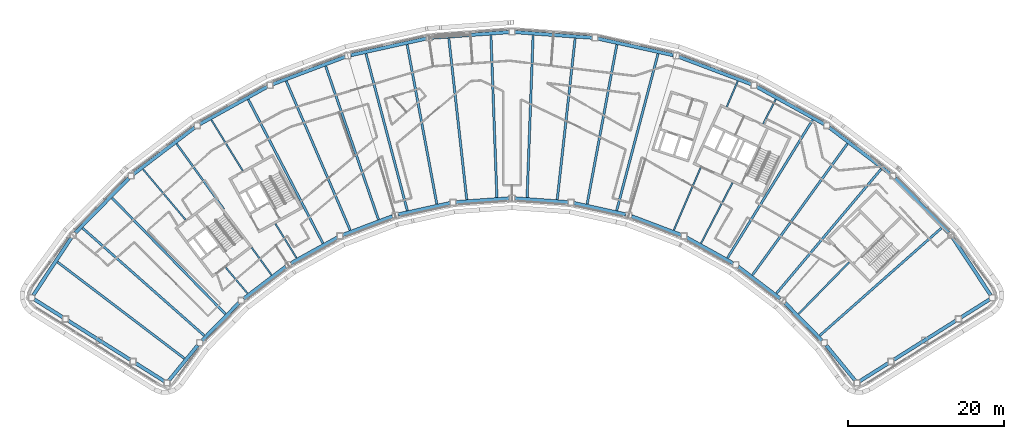
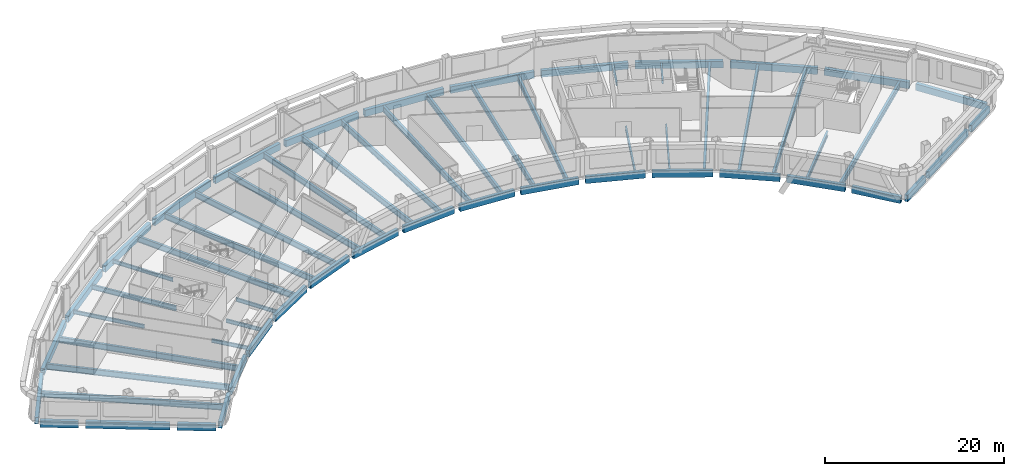
# One storey, part 3 of 13: 63 beams.
"""IFC4 building model written with IfcOpenShell, lengths in metres."""

from ifc_helpers import new_model, si_unit, direction, frame, origin, origin_2d, place, context, subcontext, project, spatial, hollow_rectangle, i_section, extrude, material, material_profile, profile_set, type_object, element, save


model = new_model("IFC4")

# Units and contexts
model_context = context("Model", 3, precision=1e-05, world=origin(), true_north=direction((0.0, 1.0)))
body_context = subcontext(model_context, "Body", "Model", "MODEL_VIEW")
ifc_project = project(units=[si_unit("LENGTHUNIT", "METRE"), si_unit("AREAUNIT", "SQUARE_METRE"), si_unit("VOLUMEUNIT", "CUBIC_METRE"), si_unit("PLANEANGLEUNIT", "RADIAN"), si_unit("MASSUNIT", "GRAM", prefix="KILO")], contexts=[model_context])

# Site, building, storey
site_placement = place(None, origin())
site = spatial("IfcSite", under=ifc_project, at=site_placement, CompositionType="ELEMENT")
building_placement = place(site_placement, origin())
building = spatial("IfcBuilding", under=site, at=building_placement, Name="Tuul Gate Civic Tower", CompositionType="ELEMENT")
storey_placement = place(building_placement, frame((0.0, 0.0, 340.699951171875)))
storey = spatial("IfcBuildingStorey", under=building, at=storey_placement, Name="Level 77", CompositionType="ELEMENT", Elevation=340.699951171875)

# Beams
ifc_material_1 = material(Name="Steel S355", Category="steel")
ifc_material_profile_1 = material_profile(ifc_material_1, i_section(OverallWidth=0.199951171875, OverallDepth=0.5, WebThickness=0.010009765625, FlangeThickness=0.01611328125, at=origin_2d()), Name="PG500x200x10x16")
ifc_profile_set_1 = profile_set([ifc_material_profile_1], Name="Steel S355")
beam_type_1 = type_object("IfcBeamType", Name="STR-FLOOR BEAM-PG500x200x10x16", PredefinedType="BEAM", material=ifc_profile_set_1)
beam_1_placement = place(storey_placement, frame((26.463134765625, -13.32080078125, -0.550048828125), z_axis=(0.460782795667, 0.887512938056, 0.0), x_axis=(-0.887512938056, 0.460782795667, 0.0)))
element("IfcBeam", 1, at=beam_1_placement, inside=storey, type_object=beam_type_1, Name="Floor beam", PredefinedType="BEAM", context=body_context, shape_type="SweptSolid", body=[
    extrude(i_section(OverallWidth=0.199951171875, OverallDepth=0.5, WebThickness=0.010009765625, FlangeThickness=0.01611328125, at=origin_2d()), origin(), (0.0, 0.0, 1.0), 8.768310546875),
])
beam_2_placement = place(storey_placement, frame((34.423583984375, 2.01220703125, -0.550048828125), z_axis=(0.460793282306, 0.887507493479, 0.0), x_axis=(-0.887507493479, 0.460793282306, 0.0)))
element("IfcBeam", 2, at=beam_2_placement, inside=storey, type_object=beam_type_1, Name="Floor beam", PredefinedType="BEAM", context=body_context, shape_type="SweptSolid", body=[
    extrude(i_section(OverallWidth=0.199951171875, OverallDepth=0.5, WebThickness=0.010009765625, FlangeThickness=0.01611328125, at=origin_2d()), origin(), (0.0, 0.0, 1.0), 3.53173828125),
])
beam_3_placement = place(storey_placement, frame((22.968505859375, -11.633056640625, -0.550048828125), z_axis=(0.394179708817, 0.91903338196, 0.0), x_axis=(-0.91903338196, 0.394179708817, 0.0)))
element("IfcBeam", 3, at=beam_3_placement, inside=storey, type_object=beam_type_1, Name="Floor beam", PredefinedType="BEAM", context=body_context, shape_type="SweptSolid", body=[
    extrude(i_section(OverallWidth=0.199951171875, OverallDepth=0.5, WebThickness=0.010009765625, FlangeThickness=0.01611328125, at=origin_2d()), origin(), (0.0, 0.0, 1.0), 8.7119140625),
])
beam_4_placement = place(storey_placement, frame((29.7548828125, 4.189208984375, -0.550048828125), z_axis=(0.394262656624, 0.918997800646, 0.0), x_axis=(-0.918997800646, 0.394262656624, 0.0)))
element("IfcBeam", 4, at=beam_4_placement, inside=storey, type_object=beam_type_1, Name="Floor beam", PredefinedType="BEAM", context=body_context, shape_type="SweptSolid", body=[
    extrude(i_section(OverallWidth=0.199951171875, OverallDepth=0.5, WebThickness=0.010009765625, FlangeThickness=0.01611328125, at=origin_2d()), origin(), (0.0, 0.0, 1.0), 3.60400390625),
])
beam_5_placement = place(storey_placement, frame((-25.47412109375, -15.2021484375, -0.550048828125), z_axis=(-0.524854989159, 0.851191659002, 0.0), x_axis=(-0.851191659002, -0.524854989159, 0.0)))
element("IfcBeam", 5, at=beam_5_placement, inside=storey, type_object=beam_type_1, Name="Floor beam", PredefinedType="BEAM", context=body_context, shape_type="SweptSolid", body=[
    extrude(i_section(OverallWidth=0.199951171875, OverallDepth=0.5, WebThickness=0.010009765625, FlangeThickness=0.01611328125, at=origin_2d()), origin(), (0.0, 0.0, 1.0), 5.1591796875),
])
beam_6_placement = place(storey_placement, frame((-32.385009765625, -3.993896484375, -0.550048828125), z_axis=(-0.524857120658, 0.851190344691, 0.0), x_axis=(-0.851190344691, -0.524857120658, 0.0)))
element("IfcBeam", 6, at=beam_6_placement, inside=storey, type_object=beam_type_1, Name="Floor beam", PredefinedType="BEAM", context=body_context, shape_type="SweptSolid", body=[
    extrude(i_section(OverallWidth=0.199951171875, OverallDepth=0.5, WebThickness=0.010009765625, FlangeThickness=0.01611328125, at=origin_2d()), origin(), (0.0, 0.0, 1.0), 7.654052734375),
])
beam_7_placement = place(storey_placement, frame((-28.677734375, -17.393310546875, -0.550048828125), z_axis=(-0.586074177431, 0.81025740265, 0.0), x_axis=(-0.81025740265, -0.586074177431, 0.0)))
element("IfcBeam", 7, at=beam_7_placement, inside=storey, type_object=beam_type_1, Name="Floor beam", PredefinedType="BEAM", context=body_context, shape_type="SweptSolid", body=[
    extrude(i_section(OverallWidth=0.199951171875, OverallDepth=0.5, WebThickness=0.010009765625, FlangeThickness=0.01611328125, at=origin_2d()), origin(), (0.0, 0.0, 1.0), 4.33642578125),
])
beam_8_placement = place(storey_placement, frame((-31.765869140625, -19.74462890625, -0.550048828125), z_axis=(-0.64417038831, 0.764882024122, 0.0), x_axis=(-0.764882024122, -0.64417038831, 0.0)))
element("IfcBeam", 8, at=beam_8_placement, inside=storey, type_object=beam_type_1, Name="Floor beam", PredefinedType="BEAM", context=body_context, shape_type="SweptSolid", body=[
    extrude(i_section(OverallWidth=0.199951171875, OverallDepth=0.5, WebThickness=0.010009765625, FlangeThickness=0.01611328125, at=origin_2d()), origin(), (0.0, 0.0, 1.0), 4.34033203125),
])
beam_9_placement = place(storey_placement, frame((-39.720703125, -10.298095703125, -0.550048828125), z_axis=(-0.644145503575, 0.764902980923, 0.0), x_axis=(-0.764902980923, -0.644145503575, 0.0)))
element("IfcBeam", 9, at=beam_9_placement, inside=storey, type_object=beam_type_1, Name="Floor beam", PredefinedType="BEAM", context=body_context, shape_type="SweptSolid", body=[
    extrude(i_section(OverallWidth=0.199951171875, OverallDepth=0.5, WebThickness=0.010009765625, FlangeThickness=0.01611328125, at=origin_2d()), origin(), (0.0, 0.0, 1.0), 8.47509765625),
])
ifc_material_2 = material(Name="Steel S355", Category="steel")
ifc_material_profile_2 = material_profile(ifc_material_2, i_section(OverallWidth=0.25, OverallDepth=0.64990234375, WebThickness=0.011962890625, FlangeThickness=0.02001953125, at=origin_2d()), Name="PG650x250x12x20")
ifc_profile_set_2 = profile_set([ifc_material_profile_2], Name="Steel S355")
beam_type_2 = type_object("IfcBeamType", Name="STR-FLOOR BEAM-PG650x250x12x20", PredefinedType="BEAM", material=ifc_profile_set_2)
beam_10_placement = place(storey_placement, frame((38.990234375, -22.390380859375, -0.625), z_axis=(0.698674470128, 0.715439714296, 0.0), x_axis=(-0.715439714296, 0.698674470128, 0.0)))
element("IfcBeam", 10, at=beam_10_placement, inside=storey, type_object=beam_type_2, Name="Floor beam", PredefinedType="BEAM", context=body_context, shape_type="SweptSolid", body=[
    extrude(i_section(OverallWidth=0.25, OverallDepth=0.64990234375, WebThickness=0.011962890625, FlangeThickness=0.02001953125, at=origin_2d()), origin(), (0.0, 0.0, 1.0), 9.290771484375),
])
beam_11_placement = place(storey_placement, frame((-34.799560546875, -8.9296875, -0.625), z_axis=(-0.586091808988, 0.810244649126, 0.0), x_axis=(-0.810244649126, -0.586091808988, 0.0)))
element("IfcBeam", 11, at=beam_11_placement, inside=storey, type_object=beam_type_2, Name="Floor beam", PredefinedType="BEAM", context=body_context, shape_type="SweptSolid", body=[
    extrude(i_section(OverallWidth=0.25, OverallDepth=0.64990234375, WebThickness=0.011962890625, FlangeThickness=0.02001953125, at=origin_2d()), origin(), (0.0, 0.0, 1.0), 10.360107421875),
])
ifc_material_3 = material(Name="Steel S355", Category="steel")
ifc_material_profile_3 = material_profile(ifc_material_3, i_section(OverallWidth=0.300048828125, OverallDepth=0.800048828125, WebThickness=0.013916015625, FlangeThickness=0.02490234375, at=origin_2d()), Name="PG800x300x14x25")
ifc_profile_set_3 = profile_set([ifc_material_profile_3], Name="Steel S355")
beam_type_3 = type_object("IfcBeamType", Name="STR-FLOOR BEAM-PG800x300x14x25", PredefinedType="BEAM", material=ifc_profile_set_3)
beam_12_placement = place(storey_placement, frame((41.707275390625, -25.16259765625, -0.699951171875), z_axis=(0.749453243269, 0.662057275584, 0.0), x_axis=(-0.662057275584, 0.749453243269, 0.0)))
element("IfcBeam", 12, at=beam_12_placement, inside=storey, type_object=beam_type_3, Name="Floor beam", PredefinedType="BEAM", context=body_context, shape_type="SweptSolid", body=[
    extrude(i_section(OverallWidth=0.300048828125, OverallDepth=0.800048828125, WebThickness=0.013916015625, FlangeThickness=0.02490234375, at=origin_2d()), origin(), (0.0, 0.0, 1.0), 20.828369140625),
])
beam_13_placement = place(storey_placement, frame((36.14990234375, -19.74462890625, -0.699951171875), z_axis=(0.644135745783, 0.764911198117, 0.0), x_axis=(-0.764911198117, 0.644135745783, 0.0)))
element("IfcBeam", 13, at=beam_13_placement, inside=storey, type_object=beam_type_3, Name="Floor beam", PredefinedType="BEAM", context=body_context, shape_type="SweptSolid", body=[
    extrude(i_section(OverallWidth=0.300048828125, OverallDepth=0.800048828125, WebThickness=0.013916015625, FlangeThickness=0.02490234375, at=origin_2d()), origin(), (0.0, 0.0, 1.0), 20.824951171875),
])
beam_14_placement = place(storey_placement, frame((33.061767578125, -17.393310546875, -0.699951171875), z_axis=(0.586073074744, 0.810258200242, 0.0), x_axis=(-0.810258200242, 0.586073074744, 0.0)))
element("IfcBeam", 14, at=beam_14_placement, inside=storey, type_object=beam_type_3, Name="Floor beam", PredefinedType="BEAM", context=body_context, shape_type="SweptSolid", body=[
    extrude(i_section(OverallWidth=0.300048828125, OverallDepth=0.800048828125, WebThickness=0.013916015625, FlangeThickness=0.02490234375, at=origin_2d()), origin(), (0.0, 0.0, 1.0), 20.8056640625),
])
beam_15_placement = place(storey_placement, frame((29.858154296875, -15.2021484375, -0.699951171875), z_axis=(0.524846935925, 0.85119662467, 0.0), x_axis=(-0.85119662467, 0.524846935925, 0.0)))
element("IfcBeam", 15, at=beam_15_placement, inside=storey, type_object=beam_type_3, Name="Floor beam", PredefinedType="BEAM", context=body_context, shape_type="SweptSolid", body=[
    extrude(i_section(OverallWidth=0.300048828125, OverallDepth=0.800048828125, WebThickness=0.013916015625, FlangeThickness=0.02490234375, at=origin_2d()), origin(), (0.0, 0.0, 1.0), 20.82177734375),
])
beam_16_placement = place(storey_placement, frame((15.630615234375, -9.11328125, -0.699951171875), z_axis=(0.255002430405, 0.966940412067, 0.0), x_axis=(-0.966940412067, 0.255002430405, 0.0)))
element("IfcBeam", 16, at=beam_16_placement, inside=storey, type_object=beam_type_3, Name="Floor beam", PredefinedType="BEAM", context=body_context, shape_type="SweptSolid", body=[
    extrude(i_section(OverallWidth=0.300048828125, OverallDepth=0.800048828125, WebThickness=0.013916015625, FlangeThickness=0.02490234375, at=origin_2d()), origin(), (0.0, 0.0, 1.0), 20.81689453125),
])
beam_17_placement = place(storey_placement, frame((11.84033203125, -8.2783203125, -0.699951171875), z_axis=(0.183149454547, 0.983085081414, 0.0), x_axis=(-0.983085081414, 0.183149454547, 0.0)))
element("IfcBeam", 17, at=beam_17_placement, inside=storey, type_object=beam_type_3, Name="Floor beam", PredefinedType="BEAM", context=body_context, shape_type="SweptSolid", body=[
    extrude(i_section(OverallWidth=0.300048828125, OverallDepth=0.800048828125, WebThickness=0.013916015625, FlangeThickness=0.02490234375, at=origin_2d()), origin(), (0.0, 0.0, 1.0), 20.81103515625),
])
beam_18_placement = place(storey_placement, frame((8.003173828125, -7.69873046875, -0.699951171875), z_axis=(0.110286058964, 0.993899886909, 0.0), x_axis=(-0.993899886909, 0.110286058964, 0.0)))
element("IfcBeam", 18, at=beam_18_placement, inside=storey, type_object=beam_type_3, Name="Floor beam", PredefinedType="BEAM", context=body_context, shape_type="SweptSolid", body=[
    extrude(i_section(OverallWidth=0.300048828125, OverallDepth=0.800048828125, WebThickness=0.013916015625, FlangeThickness=0.02490234375, at=origin_2d()), origin(), (0.0, 0.0, 1.0), 20.8154296875),
])
for number, where, z_axis, x_axis, name in (
    (19, (4.13232421875, -7.41796875, -0.699951171875), (0.036832478792, 0.999321454041, 0.0), (-0.999321454041, 0.036832478792, 0.0), "Floor beam"),
    (20, (0.251708984375, -7.41796875, -0.699951171875), (-0.036832478792, 0.999321454041, 0.0), (-0.999321454041, -0.036832478792, 0.0), "Floor beam"),
):
    element("IfcBeam", number, at=place(storey_placement, frame(where, z_axis=z_axis, x_axis=x_axis)), inside=storey, type_object=beam_type_3, Name=name, PredefinedType="BEAM", context=body_context, shape_type="SweptSolid", body=[
        extrude(i_section(OverallWidth=0.300048828125, OverallDepth=0.800048828125, WebThickness=0.013916015625, FlangeThickness=0.02490234375, at=origin_2d()), origin(), (0.0, 0.0, 1.0), 20.813232421875),
    ])
beam_19_placement = place(storey_placement, frame((-3.619140625, -7.69873046875, -0.699951171875), z_axis=(-0.110286058964, 0.993899886909, 0.0), x_axis=(-0.993899886909, -0.110286058964, 0.0)))
element("IfcBeam", 21, at=beam_19_placement, inside=storey, type_object=beam_type_3, Name="Floor beam", PredefinedType="BEAM", context=body_context, shape_type="SweptSolid", body=[
    extrude(i_section(OverallWidth=0.300048828125, OverallDepth=0.800048828125, WebThickness=0.013916015625, FlangeThickness=0.02490234375, at=origin_2d()), origin(), (0.0, 0.0, 1.0), 20.8154296875),
])
beam_20_placement = place(storey_placement, frame((-7.45654296875, -8.2783203125, -0.699951171875), z_axis=(-0.183138116697, 0.983087193596, 0.0), x_axis=(-0.983087193596, -0.183138116697, 0.0)))
element("IfcBeam", 22, at=beam_20_placement, inside=storey, type_object=beam_type_3, Name="Floor beam", PredefinedType="BEAM", context=body_context, shape_type="SweptSolid", body=[
    extrude(i_section(OverallWidth=0.300048828125, OverallDepth=0.800048828125, WebThickness=0.013916015625, FlangeThickness=0.02490234375, at=origin_2d()), origin(), (0.0, 0.0, 1.0), 20.81103515625),
])
beam_21_placement = place(storey_placement, frame((-11.24658203125, -9.11328125, -0.699951171875), z_axis=(-0.255002430405, 0.966940412067, 0.0), x_axis=(-0.966940412067, -0.255002430405, 0.0)))
element("IfcBeam", 23, at=beam_21_placement, inside=storey, type_object=beam_type_3, Name="Floor beam", PredefinedType="BEAM", context=body_context, shape_type="SweptSolid", body=[
    extrude(i_section(OverallWidth=0.300048828125, OverallDepth=0.800048828125, WebThickness=0.013916015625, FlangeThickness=0.02490234375, at=origin_2d()), origin(), (0.0, 0.0, 1.0), 20.81689453125),
])
beam_22_placement = place(storey_placement, frame((-14.954345703125, -10.259765625, -0.699951171875), z_axis=(-0.325483706592, 0.945547649113, 0.0), x_axis=(-0.945547649113, -0.325483706592, 0.0)))
element("IfcBeam", 24, at=beam_22_placement, inside=storey, type_object=beam_type_3, Name="Floor beam", PredefinedType="BEAM", context=body_context, shape_type="SweptSolid", body=[
    extrude(i_section(OverallWidth=0.300048828125, OverallDepth=0.800048828125, WebThickness=0.013916015625, FlangeThickness=0.02490234375, at=origin_2d()), origin(), (0.0, 0.0, 1.0), 20.808837890625),
])
beam_23_placement = place(storey_placement, frame((-18.58447265625, -11.633056640625, -0.699951171875), z_axis=(-0.39419807985, 0.919025502281, 0.0), x_axis=(-0.919025502281, -0.39419807985, 0.0)))
element("IfcBeam", 25, at=beam_23_placement, inside=storey, type_object=beam_type_3, Name="Floor beam", PredefinedType="BEAM", context=body_context, shape_type="SweptSolid", body=[
    extrude(i_section(OverallWidth=0.300048828125, OverallDepth=0.800048828125, WebThickness=0.013916015625, FlangeThickness=0.02490234375, at=origin_2d()), origin(), (0.0, 0.0, 1.0), 20.820068359375),
])
beam_24_placement = place(storey_placement, frame((-22.079345703125, -13.32080078125, -0.699951171875), z_axis=(-0.46076746296, 0.887520898389, 0.0), x_axis=(-0.887520898389, -0.46076746296, 0.0)))
element("IfcBeam", 26, at=beam_24_placement, inside=storey, type_object=beam_type_3, Name="Floor beam", PredefinedType="BEAM", context=body_context, shape_type="SweptSolid", body=[
    extrude(i_section(OverallWidth=0.300048828125, OverallDepth=0.800048828125, WebThickness=0.013916015625, FlangeThickness=0.02490234375, at=origin_2d()), origin(), (0.0, 0.0, 1.0), 20.80810546875),
])
beam_25_placement = place(storey_placement, frame((-34.606201171875, -22.390380859375, -0.699951171875), z_axis=(-0.698678629993, 0.715435651888, 0.0), x_axis=(-0.715435651888, -0.698678629993, 0.0)))
element("IfcBeam", 27, at=beam_25_placement, inside=storey, type_object=beam_type_3, Name="Floor beam", PredefinedType="BEAM", context=body_context, shape_type="SweptSolid", body=[
    extrude(i_section(OverallWidth=0.300048828125, OverallDepth=0.800048828125, WebThickness=0.013916015625, FlangeThickness=0.02490234375, at=origin_2d()), origin(), (0.0, 0.0, 1.0), 20.80517578125),
])
beam_26_placement = place(storey_placement, frame((-37.3232421875, -25.16259765625, -0.699951171875), z_axis=(-0.749453243269, 0.662057275584, 0.0), x_axis=(-0.662057275584, -0.749453243269, 0.0)))
element("IfcBeam", 28, at=beam_26_placement, inside=storey, type_object=beam_type_3, Name="Floor beam", PredefinedType="BEAM", context=body_context, shape_type="SweptSolid", body=[
    extrude(i_section(OverallWidth=0.300048828125, OverallDepth=0.800048828125, WebThickness=0.013916015625, FlangeThickness=0.02490234375, at=origin_2d()), origin(), (0.0, 0.0, 1.0), 20.828369140625),
])
beam_27_placement = place(storey_placement, frame((-39.8623046875, -28.107421875, -0.699951171875), z_axis=(-0.796145180606, 0.605105653087, 0.0), x_axis=(-0.605105653087, -0.796145180606, 0.0)))
element("IfcBeam", 29, at=beam_27_placement, inside=storey, type_object=beam_type_3, Name="Floor beam", PredefinedType="BEAM", context=body_context, shape_type="SweptSolid", body=[
    extrude(i_section(OverallWidth=0.300048828125, OverallDepth=0.800048828125, WebThickness=0.013916015625, FlangeThickness=0.02490234375, at=origin_2d()), origin(), (0.0, 0.0, 1.0), 20.462646484375),
])
ifc_material_4 = material(Name="Steel S355", Category="steel")
ifc_material_profile_4 = material_profile(ifc_material_4, hollow_rectangle(XDim=0.449951171875, YDim=0.89990234375, WallThickness=0.02490234375, at=origin_2d()), Name="BOX900x450x25")
ifc_profile_set_4 = profile_set([ifc_material_profile_4], Name="Steel S355")
beam_type_4 = type_object("IfcBeamType", Name="STR-SPANDREL BEAM-BOX900x450x25", PredefinedType="BEAM", material=ifc_profile_set_4)
beam_28_placement = place(storey_placement, frame((63.642333984375, -19.96630859375, -0.75), z_axis=(-0.551644580762, 0.834079286708, 0.0), x_axis=(-0.834079286708, -0.551644580762, 0.0)))
element("IfcBeam", 30, at=beam_28_placement, inside=storey, type_object=beam_type_4, Name="Spandrel beam", PredefinedType="BEAM", context=body_context, shape_type="SweptSolid", body=[
    extrude(hollow_rectangle(XDim=0.449951171875, YDim=0.89990234375, WallThickness=0.02490234375, at=origin_2d()), origin(), (0.0, 0.0, 1.0), 8.805908203125),
])
beam_29_placement = place(storey_placement, frame((58.283935546875, -12.00244140625, -0.75), z_axis=(-0.699989605726, 0.714153031132, 0.0), x_axis=(-0.714153031132, -0.699989605726, 0.0)))
element("IfcBeam", 31, at=beam_29_placement, inside=storey, type_object=beam_type_4, Name="Spandrel beam", PredefinedType="BEAM", context=body_context, shape_type="SweptSolid", body=[
    extrude(hollow_rectangle(XDim=0.449951171875, YDim=0.89990234375, WallThickness=0.02490234375, at=origin_2d()), origin(), (0.0, 0.0, 1.0), 9.876953125),
])
beam_30_placement = place(storey_placement, frame((50.771728515625, -4.420654296875, -0.75), z_axis=(-0.795660881085, 0.605742323361, 0.0), x_axis=(-0.605742323361, -0.795660881085, 0.0)))
element("IfcBeam", 32, at=beam_30_placement, inside=storey, type_object=beam_type_4, Name="Spandrel beam", PredefinedType="BEAM", context=body_context, shape_type="SweptSolid", body=[
    extrude(hollow_rectangle(XDim=0.449951171875, YDim=0.89990234375, WallThickness=0.02490234375, at=origin_2d()), origin(), (0.0, 0.0, 1.0), 9.877685546875),
])
beam_31_placement = place(storey_placement, frame((42.244140625, 1.9990234375, -0.75), z_axis=(-0.874589490657, 0.484864128218, 0.0), x_axis=(-0.484864128218, -0.874589490657, 0.0)))
element("IfcBeam", 33, at=beam_31_placement, inside=storey, type_object=beam_type_4, Name="Spandrel beam", PredefinedType="BEAM", context=body_context, shape_type="SweptSolid", body=[
    extrude(hollow_rectangle(XDim=0.449951171875, YDim=0.89990234375, WallThickness=0.02490234375, at=origin_2d()), origin(), (0.0, 0.0, 1.0), 9.877197265625),
])
beam_32_placement = place(storey_placement, frame((32.8818359375, 7.12353515625, -0.75), z_axis=(-0.935381084373, 0.353641381907, 0.0), x_axis=(-0.353641381907, -0.935381084373, 0.0)))
element("IfcBeam", 34, at=beam_32_placement, inside=storey, type_object=beam_type_4, Name="Spandrel beam", PredefinedType="BEAM", context=body_context, shape_type="SweptSolid", body=[
    extrude(hollow_rectangle(XDim=0.449951171875, YDim=0.89990234375, WallThickness=0.02490234375, at=origin_2d()), origin(), (0.0, 0.0, 1.0), 9.876953125),
])
beam_33_placement = place(storey_placement, frame((22.87841796875, 10.843994140625, -0.75), z_axis=(-0.976565880984, 0.215218679716, 0.0), x_axis=(-0.215218679716, -0.976565880984, 0.0)))
element("IfcBeam", 35, at=beam_33_placement, inside=storey, type_object=beam_type_4, Name="Spandrel beam", PredefinedType="BEAM", context=body_context, shape_type="SweptSolid", body=[
    extrude(hollow_rectangle(XDim=0.449951171875, YDim=0.89990234375, WallThickness=0.02490234375, at=origin_2d()), origin(), (0.0, 0.0, 1.0), 9.878173828125),
])
for number, where, z_axis, x_axis, name in (
    (36, (12.442138671875, 13.0849609375, -0.75), (-0.99738285886, 0.07230098791, 0.0), (-0.07230098791, -0.99738285886, 0.0), "Spandrel beam"),
    (37, (1.79296875, 13.799072265625, -0.75), (-0.99738285886, -0.07230098791, 0.0), (0.07230098791, -0.99738285886, 0.0), "Spandrel beam"),
):
    element("IfcBeam", number, at=place(storey_placement, frame(where, z_axis=z_axis, x_axis=x_axis)), inside=storey, type_object=beam_type_4, Name=name, PredefinedType="BEAM", context=body_context, shape_type="SweptSolid", body=[
        extrude(hollow_rectangle(XDim=0.449951171875, YDim=0.89990234375, WallThickness=0.02490234375, at=origin_2d()), origin(), (0.0, 0.0, 1.0), 9.876953125),
    ])
beam_34_placement = place(storey_placement, frame((-8.84765625, 12.969970703125, -0.75), z_axis=(-0.976565880984, -0.215218679716, 0.0), x_axis=(0.215218679716, -0.976565880984, 0.0)))
element("IfcBeam", 38, at=beam_34_placement, inside=storey, type_object=beam_type_4, Name="Spandrel beam", PredefinedType="BEAM", context=body_context, shape_type="SweptSolid", body=[
    extrude(hollow_rectangle(XDim=0.449951171875, YDim=0.89990234375, WallThickness=0.02490234375, at=origin_2d()), origin(), (0.0, 0.0, 1.0), 9.878173828125),
])
for number, where, z_axis, x_axis, name in (
    (39, (-19.259033203125, 10.616455078125, -0.75), (-0.935381084373, -0.353641381907, 0.0), (0.353641381907, -0.935381084373, 0.0), "Spandrel beam"),
    (40, (-29.221923828125, 6.7880859375, -0.75), (-0.874583679484, -0.484874610162, 0.0), (0.484874610162, -0.874583679484, 0.0), "Spandrel beam"),
):
    element("IfcBeam", number, at=place(storey_placement, frame(where, z_axis=z_axis, x_axis=x_axis)), inside=storey, type_object=beam_type_4, Name=name, PredefinedType="BEAM", context=body_context, shape_type="SweptSolid", body=[
        extrude(hollow_rectangle(XDim=0.449951171875, YDim=0.89990234375, WallThickness=0.02490234375, at=origin_2d()), origin(), (0.0, 0.0, 1.0), 9.876953125),
    ])
beam_35_placement = place(storey_placement, frame((-38.5283203125, 1.562744140625, -0.75), z_axis=(-0.795660881085, -0.605742323361, 0.0), x_axis=(0.605742323361, -0.795660881085, 0.0)))
element("IfcBeam", 41, at=beam_35_placement, inside=storey, type_object=beam_type_4, Name="Spandrel beam", PredefinedType="BEAM", context=body_context, shape_type="SweptSolid", body=[
    extrude(hollow_rectangle(XDim=0.449951171875, YDim=0.89990234375, WallThickness=0.02490234375, at=origin_2d()), origin(), (0.0, 0.0, 1.0), 9.877685546875),
])
beam_36_placement = place(storey_placement, frame((-46.986083984375, -4.94873046875, -0.75), z_axis=(-0.699989605726, -0.714153031132, 0.0), x_axis=(0.714153031132, -0.699989605726, 0.0)))
element("IfcBeam", 42, at=beam_36_placement, inside=storey, type_object=beam_type_4, Name="Spandrel beam", PredefinedType="BEAM", context=body_context, shape_type="SweptSolid", body=[
    extrude(hollow_rectangle(XDim=0.449951171875, YDim=0.89990234375, WallThickness=0.02490234375, at=origin_2d()), origin(), (0.0, 0.0, 1.0), 9.876953125),
])
beam_37_placement = place(storey_placement, frame((-54.400634765625, -12.62158203125, -0.75), z_axis=(-0.551644580762, -0.834079286708, 0.0), x_axis=(0.834079286708, -0.551644580762, 0.0)))
element("IfcBeam", 43, at=beam_37_placement, inside=storey, type_object=beam_type_4, Name="Spandrel beam", PredefinedType="BEAM", context=body_context, shape_type="SweptSolid", body=[
    extrude(hollow_rectangle(XDim=0.449951171875, YDim=0.89990234375, WallThickness=0.02490234375, at=origin_2d()), origin(), (0.0, 0.0, 1.0), 8.805908203125),
])
beam_38_placement = place(storey_placement, frame((-59.140625, -20.51318359375, -0.75), z_axis=(0.846211196037, -0.532847643985, 0.0), x_axis=(0.532847643985, 0.846211196037, 0.0)))
element("IfcBeam", 44, at=beam_38_placement, inside=storey, type_object=beam_type_4, Name="Spandrel beam", PredefinedType="BEAM", context=body_context, shape_type="SweptSolid", body=[
    extrude(hollow_rectangle(XDim=0.449951171875, YDim=0.89990234375, WallThickness=0.02490234375, at=origin_2d()), origin(), (0.0, 0.0, 1.0), 4.33251953125),
])
beam_39_placement = place(storey_placement, frame((-54.797607421875, -23.248046875, -0.75), z_axis=(0.84620354352, -0.532859796695, 0.0), x_axis=(0.532859796695, 0.84620354352, 0.0)))
element("IfcBeam", 45, at=beam_39_placement, inside=storey, type_object=beam_type_4, Name="Spandrel beam", PredefinedType="BEAM", context=body_context, shape_type="SweptSolid", body=[
    extrude(hollow_rectangle(XDim=0.449951171875, YDim=0.89990234375, WallThickness=0.02490234375, at=origin_2d()), origin(), (0.0, 0.0, 1.0), 9.463623046875),
])
beam_40_placement = place(storey_placement, frame((-46.112548828125, -28.71728515625, -0.75), z_axis=(0.84613117079, -0.532974710298, 0.0), x_axis=(0.532974710298, 0.84613117079, 0.0)))
element("IfcBeam", 46, at=beam_40_placement, inside=storey, type_object=beam_type_4, Name="Spandrel beam", PredefinedType="BEAM", context=body_context, shape_type="SweptSolid", body=[
    extrude(hollow_rectangle(XDim=0.449951171875, YDim=0.89990234375, WallThickness=0.02490234375, at=origin_2d()), origin(), (0.0, 0.0, 1.0), 4.33154296875),
])
beam_41_placement = place(storey_placement, frame((-41.855224609375, -30.9296875, -0.75), z_axis=(0.634404835744, 0.773000973081, 0.0), x_axis=(-0.773000973081, 0.634404835744, 0.0)))
element("IfcBeam", 47, at=beam_41_placement, inside=storey, type_object=beam_type_4, Name="Spandrel beam", PredefinedType="BEAM", context=body_context, shape_type="SweptSolid", body=[
    extrude(hollow_rectangle(XDim=0.449951171875, YDim=0.89990234375, WallThickness=0.02490234375, at=origin_2d()), origin(), (0.0, 0.0, 1.0), 5.851806640625),
])
beam_42_placement = place(storey_placement, frame((-37.609130859375, -25.811279296875, -0.75), z_axis=(0.699971853877, 0.714170430485, 0.0), x_axis=(-0.714170430485, 0.699971853877, 0.0)))
element("IfcBeam", 48, at=beam_42_placement, inside=storey, type_object=beam_type_4, Name="Spandrel beam", PredefinedType="BEAM", context=body_context, shape_type="SweptSolid", body=[
    extrude(hollow_rectangle(XDim=0.449951171875, YDim=0.89990234375, WallThickness=0.02490234375, at=origin_2d()), origin(), (0.0, 0.0, 1.0), 6.7919921875),
])
for number, where, z_axis, x_axis, name in (
    (49, (-32.2568359375, -20.4326171875, -0.75), (0.795626424775, 0.605787580098, 0.0), (-0.605787580098, 0.795626424775, 0.0), "Spandrel beam"),
    (50, (-26.18505859375, -15.882080078125, -0.75), (0.87464856826, 0.484757549751, 0.0), (-0.484757549751, 0.87464856826, 0.0), "Spandrel beam"),
):
    element("IfcBeam", number, at=place(storey_placement, frame(where, z_axis=z_axis, x_axis=x_axis)), inside=storey, type_object=beam_type_4, Name=name, PredefinedType="BEAM", context=body_context, shape_type="SweptSolid", body=[
        extrude(hollow_rectangle(XDim=0.449951171875, YDim=0.89990234375, WallThickness=0.02490234375, at=origin_2d()), origin(), (0.0, 0.0, 1.0), 6.79150390625),
    ])
beam_43_placement = place(storey_placement, frame((-19.520751953125, -12.25439453125, -0.75), z_axis=(0.935326768609, 0.353785013707, 0.0), x_axis=(-0.353785013707, 0.935326768609, 0.0)))
element("IfcBeam", 51, at=beam_43_placement, inside=storey, type_object=beam_type_4, Name="Spandrel beam", PredefinedType="BEAM", context=body_context, shape_type="SweptSolid", body=[
    extrude(hollow_rectangle(XDim=0.449951171875, YDim=0.89990234375, WallThickness=0.02490234375, at=origin_2d()), origin(), (0.0, 0.0, 1.0), 6.791748046875),
])
beam_44_placement = place(storey_placement, frame((-12.4033203125, -9.6240234375, -0.75), z_axis=(0.976589670026, 0.215110707308, 0.0), x_axis=(-0.215110707308, 0.976589670026, 0.0)))
element("IfcBeam", 52, at=beam_44_placement, inside=storey, type_object=beam_type_4, Name="Spandrel beam", PredefinedType="BEAM", context=body_context, shape_type="SweptSolid", body=[
    extrude(hollow_rectangle(XDim=0.449951171875, YDim=0.89990234375, WallThickness=0.02490234375, at=origin_2d()), origin(), (0.0, 0.0, 1.0), 6.79150390625),
])
for number, where, z_axis, x_axis, name in (
    (53, (-4.98095703125, -8.048095703125, -0.75), (0.997381114382, 0.072325048733, 0.0), (-0.072325048733, 0.997381114382, 0.0), "Spandrel beam"),
    (54, (2.591064453125, -7.556884765625, -0.75), (0.997381114382, -0.072325048733, 0.0), (0.072325048733, 0.997381114382, 0.0), "Spandrel beam"),
    (55, (10.154541015625, -8.1630859375, -0.75), (0.97659133333, -0.215103155869, 0.0), (0.215103155869, 0.97659133333, 0.0), "Spandrel beam"),
    (56, (17.55224609375, -9.8515625, -0.75), (0.935326768609, -0.353785013707, 0.0), (0.353785013707, 0.935326768609, 0.0), "Spandrel beam"),
):
    element("IfcBeam", number, at=place(storey_placement, frame(where, z_axis=z_axis, x_axis=x_axis)), inside=storey, type_object=beam_type_4, Name=name, PredefinedType="BEAM", context=body_context, shape_type="SweptSolid", body=[
        extrude(hollow_rectangle(XDim=0.449951171875, YDim=0.89990234375, WallThickness=0.02490234375, at=origin_2d()), origin(), (0.0, 0.0, 1.0), 6.791748046875),
    ])
for number, where, z_axis, x_axis, name in (
    (57, (24.62890625, -12.58984375, -0.75), (0.87464856826, -0.484757549751, 0.0), (0.484757549751, 0.87464856826, 0.0), "Spandrel beam"),
    (58, (31.2373046875, -16.318359375, -0.75), (0.795626424775, -0.605787580098, 0.0), (0.605787580098, 0.795626424775, 0.0), "Spandrel beam"),
):
    element("IfcBeam", number, at=place(storey_placement, frame(where, z_axis=z_axis, x_axis=x_axis)), inside=storey, type_object=beam_type_4, Name=name, PredefinedType="BEAM", context=body_context, shape_type="SweptSolid", body=[
        extrude(hollow_rectangle(XDim=0.449951171875, YDim=0.89990234375, WallThickness=0.02490234375, at=origin_2d()), origin(), (0.0, 0.0, 1.0), 6.79150390625),
    ])
beam_45_placement = place(storey_placement, frame((37.239013671875, -20.960693359375, -0.75), z_axis=(0.69995351943, -0.71418839996, 0.0), x_axis=(0.71418839996, 0.69995351943, 0.0)))
element("IfcBeam", 59, at=beam_45_placement, inside=storey, type_object=beam_type_4, Name="Spandrel beam", PredefinedType="BEAM", context=body_context, shape_type="SweptSolid", body=[
    extrude(hollow_rectangle(XDim=0.449951171875, YDim=0.89990234375, WallThickness=0.02490234375, at=origin_2d()), origin(), (0.0, 0.0, 1.0), 6.791748046875),
])
beam_46_placement = place(storey_placement, frame((42.52685546875, -26.40625, -0.75), z_axis=(0.634404835744, -0.773000973081, 0.0), x_axis=(0.773000973081, 0.634404835744, 0.0)))
element("IfcBeam", 60, at=beam_46_placement, inside=storey, type_object=beam_type_4, Name="Spandrel beam", PredefinedType="BEAM", context=body_context, shape_type="SweptSolid", body=[
    extrude(hollow_rectangle(XDim=0.449951171875, YDim=0.89990234375, WallThickness=0.02490234375, at=origin_2d()), origin(), (0.0, 0.0, 1.0), 5.851806640625),
])
beam_47_placement = place(storey_placement, frame((46.83154296875, -31.02587890625, -0.75), z_axis=(0.84613117079, 0.532974710298, 0.0), x_axis=(-0.532974710298, 0.84613117079, 0.0)))
element("IfcBeam", 61, at=beam_47_placement, inside=storey, type_object=beam_type_4, Name="Spandrel beam", PredefinedType="BEAM", context=body_context, shape_type="SweptSolid", body=[
    extrude(hollow_rectangle(XDim=0.449951171875, YDim=0.89990234375, WallThickness=0.02490234375, at=origin_2d()), origin(), (0.0, 0.0, 1.0), 4.33154296875),
])
beam_48_placement = place(storey_placement, frame((51.173583984375, -28.290771484375, -0.75), z_axis=(0.84620354352, 0.532859796695, 0.0), x_axis=(-0.532859796695, 0.84620354352, 0.0)))
element("IfcBeam", 62, at=beam_48_placement, inside=storey, type_object=beam_type_4, Name="Spandrel beam", PredefinedType="BEAM", context=body_context, shape_type="SweptSolid", body=[
    extrude(hollow_rectangle(XDim=0.449951171875, YDim=0.89990234375, WallThickness=0.02490234375, at=origin_2d()), origin(), (0.0, 0.0, 1.0), 9.463623046875),
])
beam_49_placement = place(storey_placement, frame((59.8583984375, -22.82177734375, -0.75), z_axis=(0.846195195567, 0.532873053362, 0.0), x_axis=(-0.532873053362, 0.846195195567, 0.0)))
element("IfcBeam", 63, at=beam_49_placement, inside=storey, type_object=beam_type_4, Name="Spandrel beam", PredefinedType="BEAM", context=body_context, shape_type="SweptSolid", body=[
    extrude(hollow_rectangle(XDim=0.449951171875, YDim=0.89990234375, WallThickness=0.02490234375, at=origin_2d()), origin(), (0.0, 0.0, 1.0), 4.332275390625),
])

save(model, "model.ifc")
